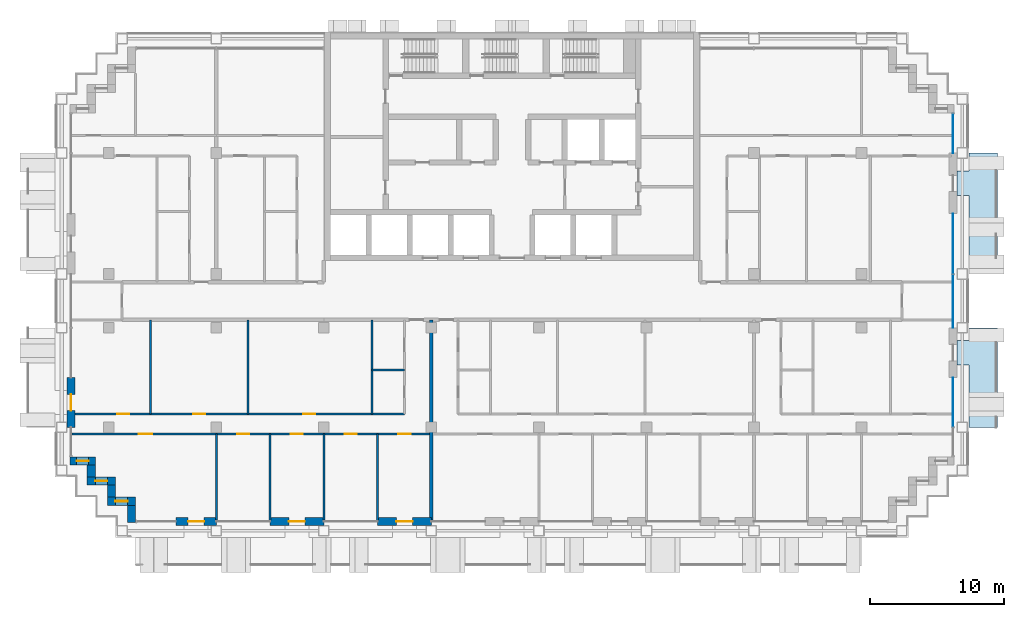
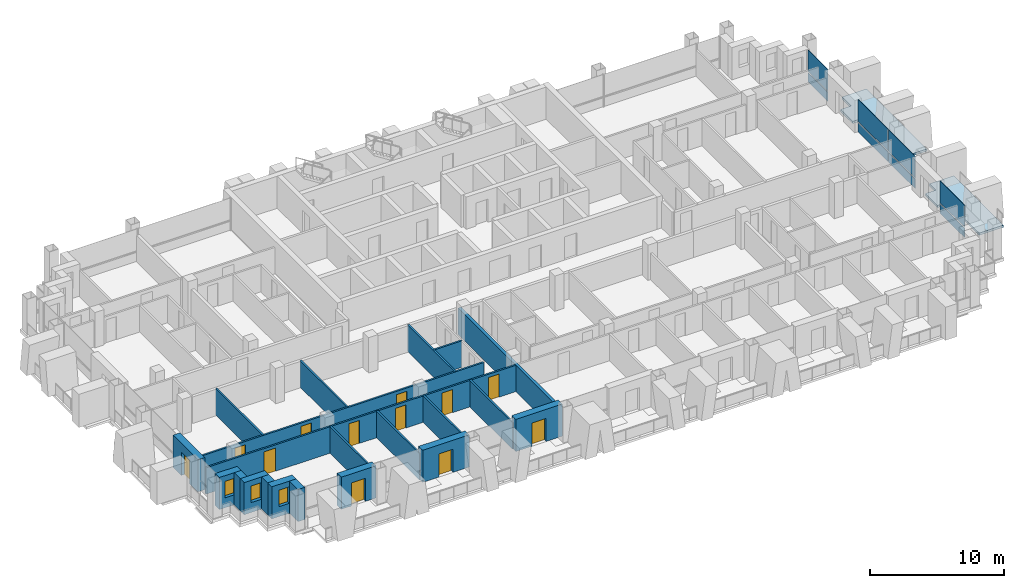
# One storey, part 7 of 16: 21 walls, 12 doors, 8 plates, 3 windows, 2 slabs, 15 openings, 3 elements without a shape of their own.
"""IFC4 building model written with IfcOpenShell, lengths in metres."""

from ifc_helpers import new_model, si_unit, direction, frame, frame_2d, origin, origin_2d, place, context, subcontext, project, spatial, polyline, rectangle, outline, extrude, material, layer, layer_set, type_object, element, fill, aggregate, save


model = new_model("IFC4")

# Units and contexts
model_context = context("Model", 3, precision=1e-05, world=origin(), true_north=direction((0.0, 1.0)))
body_context = subcontext(model_context, "Body", "Model", "MODEL_VIEW")
ifc_project = project(units=[si_unit("LENGTHUNIT", "METRE"), si_unit("AREAUNIT", "SQUARE_METRE"), si_unit("VOLUMEUNIT", "CUBIC_METRE"), si_unit("PLANEANGLEUNIT", "RADIAN"), si_unit("MASSUNIT", "GRAM", prefix="KILO")], contexts=[model_context])

# Site, building, storey
site_placement = place(None, origin())
site = spatial("IfcSite", under=ifc_project, at=site_placement, CompositionType="ELEMENT")
building_placement = place(site_placement, origin())
building = spatial("IfcBuilding", under=site, at=building_placement, Name="Vidyagriha Tower", CompositionType="ELEMENT")
storey_placement = place(building_placement, frame((0.0, 0.0, 145.39990234375)))
storey = spatial("IfcBuildingStorey", under=building, at=storey_placement, Name="L38", CompositionType="ELEMENT", Elevation=145.39990234375)

# Curtain wall, plate
ifc_material_1 = material(Name="Aluminium and glass curtain wall", Category="aluminium")
curtain_wall_type = type_object("IfcCurtainWallType", Name="Dwelling skin unitised curtain wall", PredefinedType="USERDEFINED", material=ifc_material_1)
curtain_wall_1_placement = place(storey_placement, origin())
curtain_wall_1 = element("IfcCurtainWall", 1, at=curtain_wall_1_placement, inside=storey, type_object=curtain_wall_type, Name="CW1 dwelling skin", ObjectType="UNITISED", PredefinedType="USERDEFINED")
ifc_material_2 = material(Name="Glass dark ceramic-fritted spandrel", Category="glass")
ifc_layer_1 = layer(ifc_material_2, 0.0400390625)
ifc_layer_set_1 = layer_set([ifc_layer_1], Name="Glass dark ceramic-fritted spandrel")
plate_type_1 = type_object("IfcPlateType", Name="Ceramic-fritted spandrel panel", PredefinedType="CURTAIN_PANEL", material=ifc_layer_set_1)
plate_1_placement = place(storey_placement, frame((32.800048828125, -7.532470703125, 0.0), z_axis=(0.0, 0.0, 1.0), x_axis=(0.0, 1.0, 0.0)))
plate_1 = element("IfcPlate", 2, at=plate_1_placement, type_object=plate_type_1, Name="CW1 panel 2.1", PredefinedType="CURTAIN_PANEL", context=body_context, shape_type="SweptSolid", body=[
    extrude(rectangle(XDim=3.6650390625, YDim=0.0400390625, at=origin_2d()), origin(), (0.0, 0.0, 1.0), 0.85009765625),
])

curtain_wall_2_placement = place(storey_placement, origin())
curtain_wall_2 = element("IfcCurtainWall", 3, at=curtain_wall_2_placement, inside=storey, type_object=curtain_wall_type, Name="CW1 dwelling skin", ObjectType="UNITISED", PredefinedType="USERDEFINED")
plate_2_placement = place(storey_placement, frame((32.800048828125, 12.465087890625, 0.0), z_axis=(0.0, 0.0, 1.0), x_axis=(0.0, 1.0, 0.0)))
plate_2 = element("IfcPlate", 4, at=plate_2_placement, type_object=plate_type_1, Name="CW1 panel 1.1", PredefinedType="CURTAIN_PANEL", context=body_context, shape_type="SweptSolid", body=[
    extrude(rectangle(XDim=2.929931640625, YDim=0.0400390625, at=origin_2d()), origin(), (0.0, 0.0, 1.0), 0.85009765625),
])

# Plate
ifc_material_3 = material(Name="Glass dark ceramic-fritted", Category="glass")
ifc_layer_2 = layer(ifc_material_3, 0.028076171875)
ifc_layer_set_2 = layer_set([ifc_layer_2], Name="Glass dark ceramic-fritted")
plate_type_2 = type_object("IfcPlateType", Name="Dark ceramic-fritted vision glass panel", PredefinedType="CURTAIN_PANEL", material=ifc_layer_set_2)
plate_3_placement = place(storey_placement, frame((32.800048828125, -7.532470703125, 0.9501953125), z_axis=(0.0, 0.0, 1.0), x_axis=(0.0, 1.0, 0.0)))
plate_3 = element("IfcPlate", 5, at=plate_3_placement, type_object=plate_type_2, Name="CW1 panel 2.2", PredefinedType="CURTAIN_PANEL", context=body_context, shape_type="SweptSolid", body=[
    extrude(rectangle(XDim=3.6650390625, YDim=0.028076171875, at=origin_2d()), origin(), (0.0, 0.0, 1.0), 1.969970703125),
])

aggregate(curtain_wall_1, [plate_1, plate_3])

# Curtain wall, plates
curtain_wall_3_placement = place(storey_placement, origin())
curtain_wall_3 = element("IfcCurtainWall", 6, at=curtain_wall_3_placement, inside=storey, type_object=curtain_wall_type, Name="CW1 dwelling skin", ObjectType="UNITISED", PredefinedType="USERDEFINED")
plate_4_placement = place(storey_placement, frame((32.800048828125, -0.017578125, 0.9501953125), z_axis=(0.0, 0.0, 1.0), x_axis=(0.0, 1.0, 0.0)))
plate_4 = element("IfcPlate", 7, at=plate_4_placement, type_object=plate_type_2, Name="CW1 panel 1.2", PredefinedType="CURTAIN_PANEL", context=body_context, shape_type="SweptSolid", body=[
    extrude(rectangle(XDim=3.965087890625, YDim=0.028076171875, at=origin_2d()), origin(), (0.0, 0.0, 1.0), 1.969970703125),
])
plate_5_placement = place(storey_placement, frame((32.800048828125, 4.267578125, 0.9501953125), z_axis=(0.0, 0.0, 1.0), x_axis=(0.0, 1.0, 0.0)))
plate_5 = element("IfcPlate", 8, at=plate_5_placement, type_object=plate_type_2, Name="CW1 panel 2.2", PredefinedType="CURTAIN_PANEL", context=body_context, shape_type="SweptSolid", body=[
    extrude(rectangle(XDim=4.465087890625, YDim=0.028076171875, at=origin_2d()), origin(), (0.0, 0.0, 1.0), 1.969970703125),
])

# Plate
plate_6_placement = place(storey_placement, frame((32.800048828125, 12.465087890625, 0.9501953125), z_axis=(0.0, 0.0, 1.0), x_axis=(0.0, 1.0, 0.0)))
plate_6 = element("IfcPlate", 9, at=plate_6_placement, type_object=plate_type_2, Name="CW1 panel 1.2", PredefinedType="CURTAIN_PANEL", context=body_context, shape_type="SweptSolid", body=[
    extrude(rectangle(XDim=2.929931640625, YDim=0.028076171875, at=origin_2d()), origin(), (0.0, 0.0, 1.0), 1.969970703125),
])

aggregate(curtain_wall_2, [plate_2, plate_6])

ifc_material_4 = material(Name="Aluminium black anodised", Category="aluminium")
ifc_layer_3 = layer(ifc_material_4, 0.06005859375)
ifc_layer_set_3 = layer_set([ifc_layer_3], Name="Aluminium black anodised")
plate_type_3 = type_object("IfcPlateType", Name="Operable black-metal vent panel", PredefinedType="CURTAIN_PANEL", material=ifc_layer_set_3)
plate_7_placement = place(storey_placement, frame((32.800048828125, -0.017578125, 0.0), z_axis=(0.0, 0.0, 1.0), x_axis=(0.0, 1.0, 0.0)))
plate_7 = element("IfcPlate", 10, at=plate_7_placement, type_object=plate_type_3, Name="CW1 panel 1.1", PredefinedType="CURTAIN_PANEL", context=body_context, shape_type="SweptSolid", body=[
    extrude(rectangle(XDim=3.965087890625, YDim=0.06005859375, at=origin_2d()), origin(), (0.0, 0.0, 1.0), 0.85009765625),
])

plate_8_placement = place(storey_placement, frame((32.800048828125, 4.267578125, 0.0), z_axis=(0.0, 0.0, 1.0), x_axis=(0.0, 1.0, 0.0)))
plate_8 = element("IfcPlate", 11, at=plate_8_placement, type_object=plate_type_3, Name="CW1 panel 2.1", PredefinedType="CURTAIN_PANEL", context=body_context, shape_type="SweptSolid", body=[
    extrude(rectangle(XDim=4.465087890625, YDim=0.06005859375, at=origin_2d()), origin(), (0.0, 0.0, 1.0), 0.85009765625),
])

aggregate(curtain_wall_3, [plate_7, plate_4, plate_8, plate_5])

# Slabs
ifc_material_5 = material(Name="Precast concrete C40/50", Category="concrete")
ifc_layer_4 = layer(ifc_material_5, 0.199951171875)
ifc_layer_set_4 = layer_set([ifc_layer_4], Name="Precast concrete C40/50")
slab_type = type_object("IfcSlabType", Name="Precast balcony slab 200", PredefinedType="USERDEFINED", material=ifc_layer_set_4)
slab_1_placement = place(storey_placement, frame((0.0, 0.0, -0.199951171875)))
element("IfcSlab", 12, at=slab_1_placement, inside=storey, type_object=slab_type, Name="Balcony slab L38 R30.1-1", ObjectType="BALCONY", PredefinedType="USERDEFINED", context=body_context, shape_type="SweptSolid", body=[
    extrude(outline(polyline([(34.0, -4.75), (34.0, -9.39990234375), (36.10009765625, -9.39990234375), (36.10009765625, -2.0), (34.0, -2.0), (34.0, -2.949951171875), (33.10009765625, -2.949951171875), (33.10009765625, -4.75), (34.0, -4.75)])), origin(), (0.0, 0.0, 1.0), 0.199951171875),
])
slab_2_placement = place(storey_placement, frame((0.0, 0.0, -0.199951171875)))
element("IfcSlab", 13, at=slab_2_placement, inside=storey, type_object=slab_type, Name="Balcony slab L38 R30.2-2", ObjectType="BALCONY", PredefinedType="USERDEFINED", context=body_context, shape_type="SweptSolid", body=[
    extrude(outline(polyline([(34.0, 7.85009765625), (34.0, 2.0), (36.10009765625, 2.0), (36.10009765625, 11.0), (34.0, 11.0), (34.0, 9.64990234375), (33.10009765625, 9.64990234375), (33.10009765625, 7.85009765625), (34.0, 7.85009765625)])), origin(), (0.0, 0.0, 1.0), 0.199951171875),
])

# Wall, opening, door
ifc_material_6 = material(Name="Precast concrete C40/50 with brick facing", Category="concrete")
ifc_layer_5 = layer(ifc_material_6, 0.60009765625)
ifc_layer_set_5 = layer_set([ifc_layer_5], Name="Precast concrete C40/50 with brick facing")
wall_type_1 = type_object("IfcWallType", Name="Brick-faced precast wall 600", PredefinedType="STANDARD", material=ifc_layer_set_5)
wall_1_placement = place(storey_placement, frame((-32.800048828125, -5.699951171875, 0.0), z_axis=(0.0, 0.0, 1.0), x_axis=(0.0, -1.0, 0.0)))
wall_1 = element("IfcWall", 14, at=wall_1_placement, inside=storey, type_object=wall_type_1, Name="Brick door bay wall L38 R16.6", PredefinedType="STANDARD", context=body_context, shape_type="SweptSolid", body=[
    extrude(rectangle(XDim=3.699951171875, YDim=0.60009765625, at=frame_2d((1.85009765625, 0.0))), origin(), (0.0, 0.0, 1.0), 2.920166015625),
])
opening_1_placement = place(wall_1_placement, frame((1.25, 0.0, 0.0)))
opening_1 = element("IfcOpeningElement", 15, at=opening_1_placement, cuts=wall_1, Name="Opening D38-66", PredefinedType="OPENING", context=body_context, shape_type="SweptSolid", body=[
    extrude(rectangle(XDim=1.199951171875, YDim=2.10009765625, at=frame_2d((0.60009765625, 1.050048828125))), frame((0.0, 0.31005859375, 0.0), z_axis=(0.0, -1.0, 0.0), x_axis=(1.0, 0.0, 0.0)), (0.0, 0.0, 1.0), 0.6201171875),
])
ifc_material_7 = material(Name="Aluminium framed glazed sliding door", Category="aluminium")
door_type_1 = type_object("IfcDoorType", Name="Balcony sliding door 1200x2100", OperationType="NOTDEFINED", PredefinedType="DOOR", material=ifc_material_7)
door_1_placement = place(opening_1_placement, origin())
door_1 = element("IfcDoor", 16, at=door_1_placement, inside=storey, type_object=door_type_1, Name="Door D38-66", OperationType="SLIDING_TO_LEFT", OverallHeight=2.10009765625, OverallWidth=1.199951171875, PredefinedType="DOOR", context=body_context, shape_type="SweptSolid", body=[
    extrude(rectangle(XDim=1.199951171875, YDim=2.10009765625, at=frame_2d((0.60009765625, 1.050048828125))), frame((0.0, 0.02490234375, 0.0), z_axis=(0.0, -1.0, 0.0), x_axis=(1.0, 0.0, 0.0)), (0.0, 0.0, 1.0), 0.050048828125),
])
fill(opening_1, door_1)

# Wall, opening, window
wall_2_placement = place(storey_placement, frame((-32.8798828125, -11.89990234375, 0.0)))
wall_2 = element("IfcWall", 17, at=wall_2_placement, inside=storey, type_object=wall_type_1, Name="Stepped corner wall L38 R17", PredefinedType="STANDARD", context=body_context, shape_type="SweptSolid", body=[
    extrude(rectangle(XDim=1.8798828125, YDim=0.60009765625, at=frame_2d((0.93994140625, 0.0))), origin(), (0.0, 0.0, 1.0), 2.920166015625),
])
opening_2_placement = place(wall_2_placement, frame((0.489990234375, 0.0, 0.89990234375)))
opening_2 = element("IfcOpeningElement", 18, at=opening_2_placement, cuts=wall_2, Name="Opening WN1", PredefinedType="OPENING", context=body_context, shape_type="SweptSolid", body=[
    extrude(rectangle(XDim=0.89990234375, YDim=1.5, at=frame_2d((0.449951171875, 0.75))), frame((0.0, 0.31005859375, 0.0), z_axis=(0.0, -1.0, 0.0), x_axis=(1.0, 0.0, 0.0)), (0.0, 0.0, 1.0), 0.6201171875),
])
ifc_material_8 = material(Name="Aluminium and glass window", Category="aluminium")
window_type = type_object("IfcWindowType", Name="Reveal window 900x1500", PartitioningType="NOTDEFINED", PredefinedType="WINDOW", material=ifc_material_8)
window_1_placement = place(opening_2_placement, origin())
window_1 = element("IfcWindow", 19, at=window_1_placement, inside=storey, type_object=window_type, Name="Reveal window L38 R17", OverallHeight=1.5, OverallWidth=0.89990234375, PartitioningType="SINGLE_PANEL", PredefinedType="WINDOW", context=body_context, shape_type="SweptSolid", body=[
    extrude(rectangle(XDim=0.89990234375, YDim=1.5, at=frame_2d((0.449951171875, 0.75))), frame((0.0, 0.030029296875, 0.0), z_axis=(0.0, -1.0, 0.0), x_axis=(1.0, 0.0, 0.0)), (0.0, 0.0, 1.0), 0.06005859375),
])
fill(opening_2, window_1)

# Wall
wall_3_placement = place(storey_placement, frame((-31.300048828125, -12.199951171875, 0.0), z_axis=(0.0, 0.0, 1.0), x_axis=(0.0, -1.0, 0.0)))
element("IfcWall", 20, at=wall_3_placement, inside=storey, type_object=wall_type_1, Name="Stepped corner wall L38 R18", PredefinedType="STANDARD", context=body_context, shape_type="SweptSolid", body=[
    extrude(rectangle(XDim=0.900146484375, YDim=0.60009765625, at=frame_2d((0.4501953125, 0.0))), origin(), (0.0, 0.0, 1.0), 2.920166015625),
])

# Wall, opening, window
wall_4_placement = place(storey_placement, frame((-31.60009765625, -13.39990234375, 0.0)))
wall_4 = element("IfcWall", 21, at=wall_4_placement, inside=storey, type_object=wall_type_1, Name="Stepped corner wall L38 R19", PredefinedType="STANDARD", context=body_context, shape_type="SweptSolid", body=[
    extrude(rectangle(XDim=2.10009765625, YDim=0.60009765625, at=frame_2d((1.050048828125, 0.0))), origin(), (0.0, 0.0, 1.0), 2.920166015625),
])
opening_3_placement = place(wall_4_placement, frame((0.60009765625, 0.0, 0.89990234375)))
opening_3 = element("IfcOpeningElement", 22, at=opening_3_placement, cuts=wall_4, Name="Opening WN1", PredefinedType="OPENING", context=body_context, shape_type="SweptSolid", body=[
    extrude(rectangle(XDim=0.89990234375, YDim=1.5, at=frame_2d((0.449951171875, 0.75))), frame((0.0, 0.31005859375, 0.0), z_axis=(0.0, -1.0, 0.0), x_axis=(1.0, 0.0, 0.0)), (0.0, 0.0, 1.0), 0.6201171875),
])
window_2_placement = place(opening_3_placement, origin())
window_2 = element("IfcWindow", 23, at=window_2_placement, inside=storey, type_object=window_type, Name="Reveal window L38 R19", OverallHeight=1.5, OverallWidth=0.89990234375, PartitioningType="SINGLE_PANEL", PredefinedType="WINDOW", context=body_context, shape_type="SweptSolid", body=[
    extrude(rectangle(XDim=0.89990234375, YDim=1.5, at=frame_2d((0.449951171875, 0.75))), frame((0.0, 0.030029296875, 0.0), z_axis=(0.0, -1.0, 0.0), x_axis=(1.0, 0.0, 0.0)), (0.0, 0.0, 1.0), 0.06005859375),
])
fill(opening_3, window_2)

# Wall
wall_5_placement = place(storey_placement, frame((-29.800048828125, -13.699951171875, 0.0), z_axis=(0.0, 0.0, 1.0), x_axis=(0.0, -1.0, 0.0)))
element("IfcWall", 24, at=wall_5_placement, inside=storey, type_object=wall_type_1, Name="Stepped corner wall L38 R20", PredefinedType="STANDARD", context=body_context, shape_type="SweptSolid", body=[
    extrude(rectangle(XDim=0.900146484375, YDim=0.60009765625, at=frame_2d((0.4501953125, 0.0))), origin(), (0.0, 0.0, 1.0), 2.920166015625),
])

# Wall, opening, window
wall_6_placement = place(storey_placement, frame((-30.10009765625, -14.89990234375, 0.0)))
wall_6 = element("IfcWall", 25, at=wall_6_placement, inside=storey, type_object=wall_type_1, Name="Stepped corner wall L38 R21", PredefinedType="STANDARD", context=body_context, shape_type="SweptSolid", body=[
    extrude(rectangle(XDim=2.10009765625, YDim=0.60009765625, at=frame_2d((1.050048828125, 0.0))), origin(), (0.0, 0.0, 1.0), 2.920166015625),
])
opening_4_placement = place(wall_6_placement, frame((0.60009765625, 0.0, 0.89990234375)))
opening_4 = element("IfcOpeningElement", 26, at=opening_4_placement, cuts=wall_6, Name="Opening WN1", PredefinedType="OPENING", context=body_context, shape_type="SweptSolid", body=[
    extrude(rectangle(XDim=0.89990234375, YDim=1.5, at=frame_2d((0.449951171875, 0.75))), frame((0.0, 0.31005859375, 0.0), z_axis=(0.0, -1.0, 0.0), x_axis=(1.0, 0.0, 0.0)), (0.0, 0.0, 1.0), 0.6201171875),
])
window_3_placement = place(opening_4_placement, origin())
window_3 = element("IfcWindow", 27, at=window_3_placement, inside=storey, type_object=window_type, Name="Reveal window L38 R21", OverallHeight=1.5, OverallWidth=0.89990234375, PartitioningType="SINGLE_PANEL", PredefinedType="WINDOW", context=body_context, shape_type="SweptSolid", body=[
    extrude(rectangle(XDim=0.89990234375, YDim=1.5, at=frame_2d((0.449951171875, 0.75))), frame((0.0, 0.030029296875, 0.0), z_axis=(0.0, -1.0, 0.0), x_axis=(1.0, 0.0, 0.0)), (0.0, 0.0, 1.0), 0.06005859375),
])
fill(opening_4, window_3)

# Wall
wall_7_placement = place(storey_placement, frame((-28.300048828125, -15.199951171875, 0.0), z_axis=(0.0, 0.0, 1.0), x_axis=(0.0, -1.0, 0.0)))
element("IfcWall", 28, at=wall_7_placement, inside=storey, type_object=wall_type_1, Name="Stepped corner wall L38 R22", PredefinedType="STANDARD", context=body_context, shape_type="SweptSolid", body=[
    extrude(rectangle(XDim=1.280029296875, YDim=0.60009765625, at=frame_2d((0.64013671875, 0.0))), origin(), (0.0, 0.0, 1.0), 2.920166015625),
])

# Wall, opening, door
wall_8_placement = place(storey_placement, frame((-25.0, -16.39990234375, 0.0)))
wall_8 = element("IfcWall", 29, at=wall_8_placement, inside=storey, type_object=wall_type_1, Name="Brick door bay wall L38 R23.2", PredefinedType="STANDARD", context=body_context, shape_type="SweptSolid", body=[
    extrude(rectangle(XDim=3.0, YDim=0.60009765625, at=frame_2d((1.5, 0.0))), origin(), (0.0, 0.0, 1.0), 2.920166015625),
])
opening_5_placement = place(wall_8_placement, frame((0.89990234375, 0.0, 0.0)))
opening_5 = element("IfcOpeningElement", 30, at=opening_5_placement, cuts=wall_8, Name="Opening D38-67", PredefinedType="OPENING", context=body_context, shape_type="SweptSolid", body=[
    extrude(rectangle(XDim=1.199951171875, YDim=2.10009765625, at=frame_2d((0.60009765625, 1.050048828125))), frame((0.0, 0.31005859375, 0.0), z_axis=(0.0, -1.0, 0.0), x_axis=(1.0, 0.0, 0.0)), (0.0, 0.0, 1.0), 0.6201171875),
])
door_2_placement = place(opening_5_placement, origin())
door_2 = element("IfcDoor", 31, at=door_2_placement, inside=storey, type_object=door_type_1, Name="Door D38-67", OperationType="SLIDING_TO_LEFT", OverallHeight=2.10009765625, OverallWidth=1.199951171875, PredefinedType="DOOR", context=body_context, shape_type="SweptSolid", body=[
    extrude(rectangle(XDim=1.199951171875, YDim=2.10009765625, at=frame_2d((0.60009765625, 1.050048828125))), frame((0.0, 0.02490234375, 0.0), z_axis=(0.0, -1.0, 0.0), x_axis=(1.0, 0.0, 0.0)), (0.0, 0.0, 1.0), 0.050048828125),
])
fill(opening_5, door_2)

wall_9_placement = place(storey_placement, frame((-18.0, -16.39990234375, 0.0)))
wall_9 = element("IfcWall", 32, at=wall_9_placement, inside=storey, type_object=wall_type_1, Name="Brick door bay wall L38 R23.4", PredefinedType="STANDARD", context=body_context, shape_type="SweptSolid", body=[
    extrude(rectangle(XDim=4.0, YDim=0.60009765625, at=frame_2d((2.0, 0.0))), origin(), (0.0, 0.0, 1.0), 2.920166015625),
])
opening_6_placement = place(wall_9_placement, frame((1.39990234375, 0.0, 0.0)))
opening_6 = element("IfcOpeningElement", 33, at=opening_6_placement, cuts=wall_9, Name="Opening D38-68", PredefinedType="OPENING", context=body_context, shape_type="SweptSolid", body=[
    extrude(rectangle(XDim=1.199951171875, YDim=2.10009765625, at=frame_2d((0.60009765625, 1.050048828125))), frame((0.0, 0.31005859375, 0.0), z_axis=(0.0, -1.0, 0.0), x_axis=(1.0, 0.0, 0.0)), (0.0, 0.0, 1.0), 0.6201171875),
])
door_3_placement = place(opening_6_placement, origin())
door_3 = element("IfcDoor", 34, at=door_3_placement, inside=storey, type_object=door_type_1, Name="Door D38-68", OperationType="SLIDING_TO_LEFT", OverallHeight=2.10009765625, OverallWidth=1.199951171875, PredefinedType="DOOR", context=body_context, shape_type="SweptSolid", body=[
    extrude(rectangle(XDim=1.199951171875, YDim=2.10009765625, at=frame_2d((0.60009765625, 1.050048828125))), frame((0.0, 0.02490234375, 0.0), z_axis=(0.0, -1.0, 0.0), x_axis=(1.0, 0.0, 0.0)), (0.0, 0.0, 1.0), 0.050048828125),
])
fill(opening_6, door_3)

wall_10_placement = place(storey_placement, frame((-10.0, -16.39990234375, 0.0)))
wall_10 = element("IfcWall", 35, at=wall_10_placement, inside=storey, type_object=wall_type_1, Name="Brick door bay wall L38 R23.6", PredefinedType="STANDARD", context=body_context, shape_type="SweptSolid", body=[
    extrude(rectangle(XDim=4.0, YDim=0.60009765625, at=frame_2d((2.0, 0.0))), origin(), (0.0, 0.0, 1.0), 2.920166015625),
])
opening_7_placement = place(wall_10_placement, frame((1.39990234375, 0.0, 0.0)))
opening_7 = element("IfcOpeningElement", 36, at=opening_7_placement, cuts=wall_10, Name="Opening D38-69", PredefinedType="OPENING", context=body_context, shape_type="SweptSolid", body=[
    extrude(rectangle(XDim=1.199951171875, YDim=2.10009765625, at=frame_2d((0.60009765625, 1.050048828125))), frame((0.0, 0.31005859375, 0.0), z_axis=(0.0, -1.0, 0.0), x_axis=(1.0, 0.0, 0.0)), (0.0, 0.0, 1.0), 0.6201171875),
])
door_4_placement = place(opening_7_placement, origin())
door_4 = element("IfcDoor", 37, at=door_4_placement, inside=storey, type_object=door_type_1, Name="Door D38-69", OperationType="SLIDING_TO_LEFT", OverallHeight=2.10009765625, OverallWidth=1.199951171875, PredefinedType="DOOR", context=body_context, shape_type="SweptSolid", body=[
    extrude(rectangle(XDim=1.199951171875, YDim=2.10009765625, at=frame_2d((0.60009765625, 1.050048828125))), frame((0.0, 0.02490234375, 0.0), z_axis=(0.0, -1.0, 0.0), x_axis=(1.0, 0.0, 0.0)), (0.0, 0.0, 1.0), 0.050048828125),
])
fill(opening_7, door_4)

# Walls
ifc_material_9 = material(Name="Fired clay brick masonry", Category="masonry")
ifc_layer_6 = layer(ifc_material_9, 0.25)
ifc_layer_set_6 = layer_set([ifc_layer_6], Name="Fired clay brick masonry")
wall_type_2 = type_object("IfcWallType", Name="Fired clay brick demising wall 250", PredefinedType="PARTITIONING", material=ifc_layer_set_6)
wall_11_placement = place(storey_placement, frame((-6.0, -1.39990234375, 0.0), z_axis=(0.0, 0.0, 1.0), x_axis=(0.0, -1.0, 0.0)))
element("IfcWall", 38, at=wall_11_placement, inside=storey, type_object=wall_type_2, Name="Wall all-L38-w045", PredefinedType="PARTITIONING", context=body_context, shape_type="SweptSolid", body=[
    extrude(rectangle(XDim=14.91015625, YDim=0.25, at=frame_2d((7.455078125, 0.0))), origin(), (0.0, 0.0, 1.0), 2.400146484375),
])
ifc_material_10 = material(Name="Gypsum board partition")
ifc_layer_7 = layer(ifc_material_10, 0.14990234375)
ifc_layer_set_7 = layer_set([ifc_layer_7], Name="Gypsum board partition")
wall_type_3 = type_object("IfcWallType", Name="Gypsum board partition 150", PredefinedType="PARTITIONING", material=ifc_layer_set_7)
wall_12_placement = place(storey_placement, frame((-8.0, -5.14990234375, 0.0), z_axis=(0.0, 0.0, 1.0), x_axis=(-1.0, 0.0, 0.0)))
element("IfcWall", 39, at=wall_12_placement, inside=storey, type_object=wall_type_3, Name="Wall all-L38-w004", PredefinedType="PARTITIONING", context=body_context, shape_type="SweptSolid", body=[
    extrude(rectangle(XDim=2.39990234375, YDim=0.14990234375, at=frame_2d((1.199951171875, 0.0))), origin(), (0.0, 0.0, 1.0), 2.400146484375),
])
for number, where, z_axis, x_axis, name in (
    (40, (-10.39990234375, -8.39990234375, 0.0), (0.0, 0.0, 1.0), (0.0, 1.0, 0.0), "Wall all-L38-w005"),
    (41, (-19.64990234375, -8.39990234375, 0.0), (0.0, 0.0, 1.0), (0.0, 1.0, 0.0), "Wall all-L38-w006"),
    (42, (-26.89990234375, -8.39990234375, 0.0), (0.0, 0.0, 1.0), (0.0, 1.0, 0.0), "Wall all-L38-w007"),
):
    element("IfcWall", number, at=place(storey_placement, frame(where, z_axis=z_axis, x_axis=x_axis)), inside=storey, type_object=wall_type_3, Name=name, PredefinedType="PARTITIONING", context=body_context, shape_type="SweptSolid", body=[
        extrude(rectangle(XDim=7.0, YDim=0.14990234375, at=frame_2d((3.5, 0.0))), origin(), (0.0, 0.0, 1.0), 2.400146484375),
    ])

# Wall, openings, doors
wall_13_placement = place(storey_placement, frame((-32.7099609375, -8.39990234375, 0.0)))
wall_13 = element("IfcWall", 43, at=wall_13_placement, inside=storey, type_object=wall_type_3, Name="Wall all-L38-w008", PredefinedType="PARTITIONING", context=body_context, shape_type="SweptSolid", body=[
    extrude(rectangle(XDim=24.7099609375, YDim=0.14990234375, at=frame_2d((12.35498046875, 0.0))), origin(), (0.0, 0.0, 1.0), 2.400146484375),
])
opening_8_placement = place(wall_13_placement, frame((17.19189453125, 0.0, 0.0)))
opening_8 = element("IfcOpeningElement", 44, at=opening_8_placement, cuts=wall_13, Name="Opening D38-16", PredefinedType="OPENING", context=body_context, shape_type="SweptSolid", body=[
    extrude(rectangle(XDim=0.89990234375, YDim=2.10009765625, at=frame_2d((0.449951171875, 1.050048828125))), frame((0.0, 0.0849609375, 0.0), z_axis=(0.0, -1.0, 0.0), x_axis=(1.0, 0.0, 0.0)), (0.0, 0.0, 1.0), 0.169921875),
])
opening_9_placement = place(wall_13_placement, frame((8.985107421875, 0.0, 0.0)))
opening_9 = element("IfcOpeningElement", 45, at=opening_9_placement, cuts=wall_13, Name="Opening D38-17", PredefinedType="OPENING", context=body_context, shape_type="SweptSolid", body=[
    extrude(rectangle(XDim=0.89990234375, YDim=2.10009765625, at=frame_2d((0.449951171875, 1.050048828125))), frame((0.0, 0.0849609375, 0.0), z_axis=(0.0, -1.0, 0.0), x_axis=(1.0, 0.0, 0.0)), (0.0, 0.0, 1.0), 0.169921875),
])
opening_10_placement = place(wall_13_placement, frame((3.327880859375, 0.0, 0.0)))
opening_10 = element("IfcOpeningElement", 46, at=opening_10_placement, cuts=wall_13, Name="Opening D38-18", PredefinedType="OPENING", context=body_context, shape_type="SweptSolid", body=[
    extrude(rectangle(XDim=0.89990234375, YDim=2.10009765625, at=frame_2d((0.449951171875, 1.050048828125))), frame((0.0, 0.0849609375, 0.0), z_axis=(0.0, -1.0, 0.0), x_axis=(1.0, 0.0, 0.0)), (0.0, 0.0, 1.0), 0.169921875),
])
ifc_material_11 = material(Name="Timber door leaf", Category="wood")
door_type_2 = type_object("IfcDoorType", Name="Room door 900x2100", OperationType="NOTDEFINED", PredefinedType="DOOR", material=ifc_material_11)
door_5_placement = place(opening_8_placement, origin())
door_5 = element("IfcDoor", 47, at=door_5_placement, inside=storey, type_object=door_type_2, Name="Door D38-16", OperationType="SINGLE_SWING_LEFT", OverallHeight=2.10009765625, OverallWidth=0.89990234375, PredefinedType="DOOR", context=body_context, shape_type="SweptSolid", body=[
    extrude(rectangle(XDim=0.89990234375, YDim=2.10009765625, at=frame_2d((0.449951171875, 1.050048828125))), frame((0.0, 0.02490234375, 0.0), z_axis=(0.0, -1.0, 0.0), x_axis=(1.0, 0.0, 0.0)), (0.0, 0.0, 1.0), 0.050048828125),
])
fill(opening_8, door_5)
door_6_placement = place(opening_9_placement, origin())
door_6 = element("IfcDoor", 48, at=door_6_placement, inside=storey, type_object=door_type_2, Name="Door D38-17", OperationType="SINGLE_SWING_RIGHT", OverallHeight=2.10009765625, OverallWidth=0.89990234375, PredefinedType="DOOR", context=body_context, shape_type="SweptSolid", body=[
    extrude(rectangle(XDim=0.89990234375, YDim=2.10009765625, at=frame_2d((0.449951171875, 1.050048828125))), frame((0.0, 0.02490234375, 0.0), z_axis=(0.0, -1.0, 0.0), x_axis=(1.0, 0.0, 0.0)), (0.0, 0.0, 1.0), 0.050048828125),
])
fill(opening_9, door_6)
door_7_placement = place(opening_10_placement, origin())
door_7 = element("IfcDoor", 49, at=door_7_placement, inside=storey, type_object=door_type_2, Name="Door D38-18", OperationType="SINGLE_SWING_RIGHT", OverallHeight=2.10009765625, OverallWidth=0.89990234375, PredefinedType="DOOR", context=body_context, shape_type="SweptSolid", body=[
    extrude(rectangle(XDim=0.89990234375, YDim=2.10009765625, at=frame_2d((0.449951171875, 1.050048828125))), frame((0.0, 0.02490234375, 0.0), z_axis=(0.0, -1.0, 0.0), x_axis=(1.0, 0.0, 0.0)), (0.0, 0.0, 1.0), 0.050048828125),
])
fill(opening_10, door_7)

wall_14_placement = place(storey_placement, frame((-6.0, -9.89990234375, 0.0), z_axis=(0.0, 0.0, 1.0), x_axis=(-1.0, 0.0, 0.0)))
wall_14 = element("IfcWall", 50, at=wall_14_placement, inside=storey, type_object=wall_type_3, Name="Wall all-L38-w012", PredefinedType="PARTITIONING", context=body_context, shape_type="SweptSolid", body=[
    extrude(rectangle(XDim=26.719970703125, YDim=0.14990234375, at=frame_2d((13.35986328125, 0.0))), origin(), (0.0, 0.0, 1.0), 2.400146484375),
])
opening_11_placement = place(wall_14_placement, frame((20.75, 0.0, 0.0)))
opening_11 = element("IfcOpeningElement", 51, at=opening_11_placement, cuts=wall_14, Name="Opening D38-19", PredefinedType="OPENING", context=body_context, shape_type="SweptSolid", body=[
    extrude(rectangle(XDim=1.0, YDim=2.10009765625, at=frame_2d((0.5, 1.050048828125))), frame((0.0, 0.0849609375, 0.0), z_axis=(0.0, -1.0, 0.0), x_axis=(1.0, 0.0, 0.0)), (0.0, 0.0, 1.0), 0.169921875),
])
opening_12_placement = place(wall_14_placement, frame((13.550048828125, 0.0, 0.0)))
opening_12 = element("IfcOpeningElement", 52, at=opening_12_placement, cuts=wall_14, Name="Opening D38-20", PredefinedType="OPENING", context=body_context, shape_type="SweptSolid", body=[
    extrude(rectangle(XDim=0.89990234375, YDim=2.10009765625, at=frame_2d((0.449951171875, 1.050048828125))), frame((0.0, 0.0849609375, 0.0), z_axis=(0.0, -1.0, 0.0), x_axis=(1.0, 0.0, 0.0)), (0.0, 0.0, 1.0), 0.169921875),
])
opening_13_placement = place(wall_14_placement, frame((9.550048828125, 0.0, 0.0)))
opening_13 = element("IfcOpeningElement", 53, at=opening_13_placement, cuts=wall_14, Name="Opening D38-21", PredefinedType="OPENING", context=body_context, shape_type="SweptSolid", body=[
    extrude(rectangle(XDim=0.89990234375, YDim=2.10009765625, at=frame_2d((0.449951171875, 1.050048828125))), frame((0.0, 0.0849609375, 0.0), z_axis=(0.0, -1.0, 0.0), x_axis=(1.0, 0.0, 0.0)), (0.0, 0.0, 1.0), 0.169921875),
])
opening_14_placement = place(wall_14_placement, frame((5.550048828125, 0.0, 0.0)))
opening_14 = element("IfcOpeningElement", 54, at=opening_14_placement, cuts=wall_14, Name="Opening D38-22", PredefinedType="OPENING", context=body_context, shape_type="SweptSolid", body=[
    extrude(rectangle(XDim=0.89990234375, YDim=2.10009765625, at=frame_2d((0.449951171875, 1.050048828125))), frame((0.0, 0.0849609375, 0.0), z_axis=(0.0, -1.0, 0.0), x_axis=(1.0, 0.0, 0.0)), (0.0, 0.0, 1.0), 0.169921875),
])
opening_15_placement = place(wall_14_placement, frame((1.550048828125, 0.0, 0.0)))
opening_15 = element("IfcOpeningElement", 55, at=opening_15_placement, cuts=wall_14, Name="Opening D38-23", PredefinedType="OPENING", context=body_context, shape_type="SweptSolid", body=[
    extrude(rectangle(XDim=0.89990234375, YDim=2.10009765625, at=frame_2d((0.449951171875, 1.050048828125))), frame((0.0, 0.0849609375, 0.0), z_axis=(0.0, -1.0, 0.0), x_axis=(1.0, 0.0, 0.0)), (0.0, 0.0, 1.0), 0.169921875),
])
ifc_material_12 = material(Name="Timber door leaf", Category="wood")
door_type_3 = type_object("IfcDoorType", Name="Room door 1000x2100", OperationType="NOTDEFINED", PredefinedType="DOOR", material=ifc_material_12)
door_8_placement = place(opening_11_placement, origin())
door_8 = element("IfcDoor", 56, at=door_8_placement, inside=storey, type_object=door_type_3, Name="Door D38-19", OperationType="SINGLE_SWING_RIGHT", OverallHeight=2.10009765625, OverallWidth=1.0, PredefinedType="DOOR", context=body_context, shape_type="SweptSolid", body=[
    extrude(rectangle(XDim=1.0, YDim=2.10009765625, at=frame_2d((0.5, 1.050048828125))), frame((0.0, 0.02490234375, 0.0), z_axis=(0.0, -1.0, 0.0), x_axis=(1.0, 0.0, 0.0)), (0.0, 0.0, 1.0), 0.050048828125),
])
fill(opening_11, door_8)
door_9_placement = place(opening_12_placement, origin())
door_9 = element("IfcDoor", 57, at=door_9_placement, inside=storey, type_object=door_type_2, Name="Door D38-20", OperationType="SINGLE_SWING_RIGHT", OverallHeight=2.10009765625, OverallWidth=0.89990234375, PredefinedType="DOOR", context=body_context, shape_type="SweptSolid", body=[
    extrude(rectangle(XDim=0.89990234375, YDim=2.10009765625, at=frame_2d((0.449951171875, 1.050048828125))), frame((0.0, 0.02490234375, 0.0), z_axis=(0.0, -1.0, 0.0), x_axis=(1.0, 0.0, 0.0)), (0.0, 0.0, 1.0), 0.050048828125),
])
fill(opening_12, door_9)
door_10_placement = place(opening_13_placement, origin())
door_10 = element("IfcDoor", 58, at=door_10_placement, inside=storey, type_object=door_type_2, Name="Door D38-21", OperationType="SINGLE_SWING_RIGHT", OverallHeight=2.10009765625, OverallWidth=0.89990234375, PredefinedType="DOOR", context=body_context, shape_type="SweptSolid", body=[
    extrude(rectangle(XDim=0.89990234375, YDim=2.10009765625, at=frame_2d((0.449951171875, 1.050048828125))), frame((0.0, 0.02490234375, 0.0), z_axis=(0.0, -1.0, 0.0), x_axis=(1.0, 0.0, 0.0)), (0.0, 0.0, 1.0), 0.050048828125),
])
fill(opening_13, door_10)
door_11_placement = place(opening_14_placement, origin())
door_11 = element("IfcDoor", 59, at=door_11_placement, inside=storey, type_object=door_type_2, Name="Door D38-22", OperationType="SINGLE_SWING_RIGHT", OverallHeight=2.10009765625, OverallWidth=0.89990234375, PredefinedType="DOOR", context=body_context, shape_type="SweptSolid", body=[
    extrude(rectangle(XDim=0.89990234375, YDim=2.10009765625, at=frame_2d((0.449951171875, 1.050048828125))), frame((0.0, 0.02490234375, 0.0), z_axis=(0.0, -1.0, 0.0), x_axis=(1.0, 0.0, 0.0)), (0.0, 0.0, 1.0), 0.050048828125),
])
fill(opening_14, door_11)
door_12_placement = place(opening_15_placement, origin())
door_12 = element("IfcDoor", 60, at=door_12_placement, inside=storey, type_object=door_type_2, Name="Door D38-23", OperationType="SINGLE_SWING_RIGHT", OverallHeight=2.10009765625, OverallWidth=0.89990234375, PredefinedType="DOOR", context=body_context, shape_type="SweptSolid", body=[
    extrude(rectangle(XDim=0.89990234375, YDim=2.10009765625, at=frame_2d((0.449951171875, 1.050048828125))), frame((0.0, 0.02490234375, 0.0), z_axis=(0.0, -1.0, 0.0), x_axis=(1.0, 0.0, 0.0)), (0.0, 0.0, 1.0), 0.050048828125),
])
fill(opening_15, door_12)

# Walls
wall_15_placement = place(storey_placement, frame((-22.0, -9.89990234375, 0.0), z_axis=(0.0, 0.0, 1.0), x_axis=(0.0, -1.0, 0.0)))
element("IfcWall", 61, at=wall_15_placement, inside=storey, type_object=wall_type_3, Name="Wall all-L38-w018", PredefinedType="PARTITIONING", context=body_context, shape_type="SweptSolid", body=[
    extrude(rectangle(XDim=6.41015625, YDim=0.14990234375, at=frame_2d((3.205078125, 0.0))), origin(), (0.0, 0.0, 1.0), 2.400146484375),
])
wall_16_placement = place(storey_placement, frame((-18.0, -9.89990234375, 0.0), z_axis=(0.0, 0.0, 1.0), x_axis=(0.0, -1.0, 0.0)))
element("IfcWall", 62, at=wall_16_placement, inside=storey, type_object=wall_type_3, Name="Wall all-L38-w019", PredefinedType="PARTITIONING", context=body_context, shape_type="SweptSolid", body=[
    extrude(rectangle(XDim=6.421142578125, YDim=0.14990234375, at=frame_2d((3.21044921875, 0.0))), origin(), (0.0, 0.0, 1.0), 2.400146484375),
])
wall_17_placement = place(storey_placement, frame((-14.0, -9.89990234375, 0.0), z_axis=(0.0, 0.0, 1.0), x_axis=(0.0, -1.0, 0.0)))
element("IfcWall", 63, at=wall_17_placement, inside=storey, type_object=wall_type_3, Name="Wall all-L38-w020", PredefinedType="PARTITIONING", context=body_context, shape_type="SweptSolid", body=[
    extrude(rectangle(XDim=6.41015625, YDim=0.14990234375, at=frame_2d((3.205078125, 0.0))), origin(), (0.0, 0.0, 1.0), 2.400146484375),
])
wall_18_placement = place(storey_placement, frame((-10.0, -9.89990234375, 0.0), z_axis=(0.0, 0.0, 1.0), x_axis=(0.0, -1.0, 0.0)))
element("IfcWall", 64, at=wall_18_placement, inside=storey, type_object=wall_type_3, Name="Wall all-L38-w021", PredefinedType="PARTITIONING", context=body_context, shape_type="SweptSolid", body=[
    extrude(rectangle(XDim=6.421142578125, YDim=0.14990234375, at=frame_2d((3.21044921875, 0.0))), origin(), (0.0, 0.0, 1.0), 2.400146484375),
])

save(model, "model.ifc")
